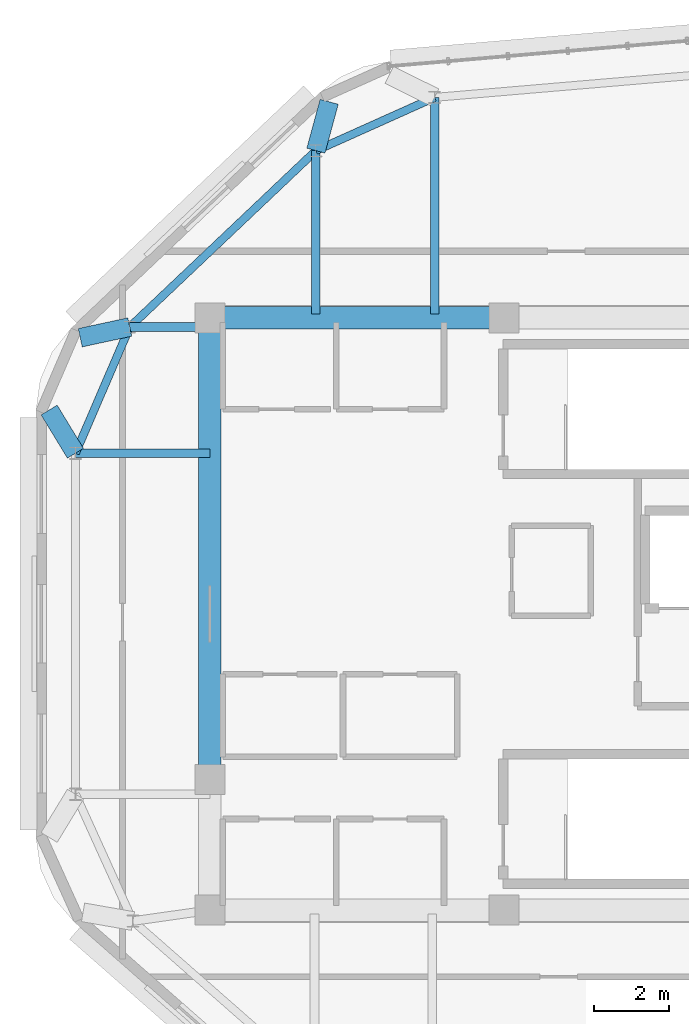
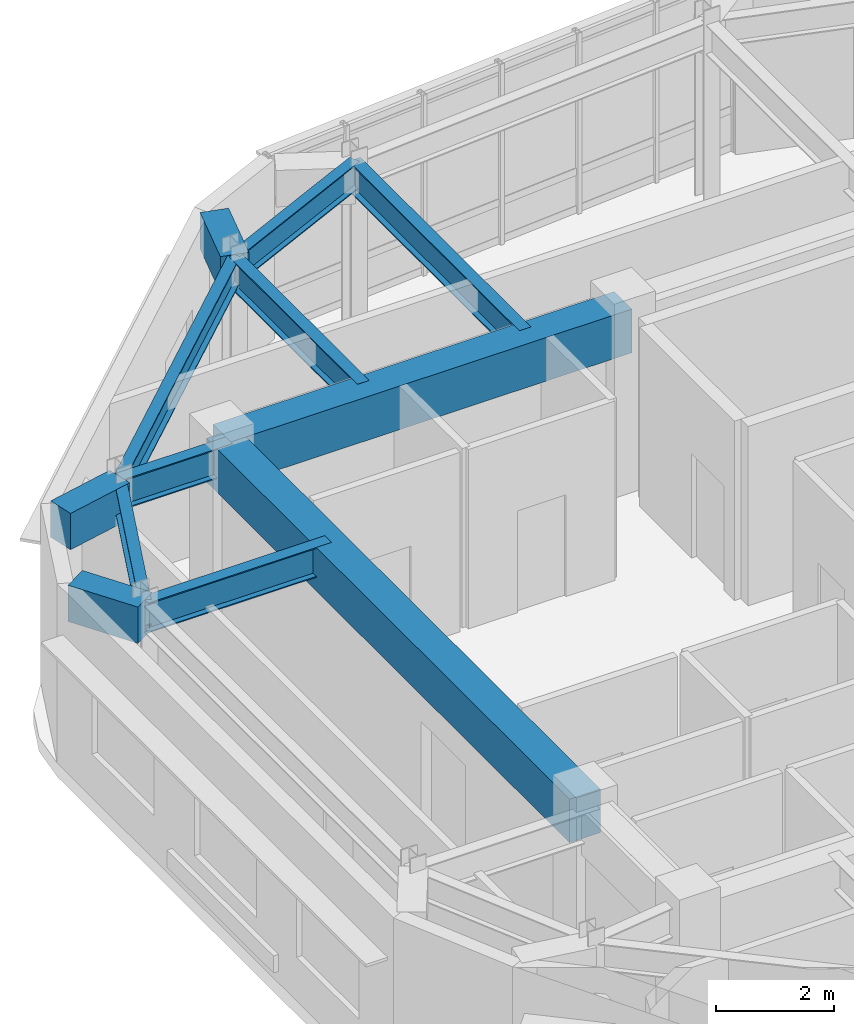
# One storey, part 6 of 13: 12 beams.
"""IFC4 building model written with IfcOpenShell, lengths in metres."""

import ifcopenshell
import ifcopenshell.guid

model = None  # the IFC model being written
_history = None  # IfcOwnerHistory: only IFC2X3 demands one
_inside = {}  # id of a spatial element -> (the spatial element, [elements in it])
_under = {}  # id of a project, library or spatial element -> (it, [spatial elements below it])
_declared = {}  # id of a project -> (the project, [libraries it declares])
_typed = {}  # id of a type object -> (the type object, [elements of that type])
_made_of = {}  # id of a material, layer set ... -> (it, [elements and type objects made of it])


def new_model(schema):
    """Start an empty IFC model of exactly this schema.

    Asked for "IFC4X3", IfcOpenShell would pick the latest addendum, in which some entities
    have other attributes; the version numbers below select the first issue.
    IFC2X3 requires an IfcOwnerHistory on every rooted entity: one is made here for all.
    """
    global model, _history
    if schema == "IFC4X3":
        model = ifcopenshell.file(schema_version=(4, 3, 0, 0))
    else:
        model = ifcopenshell.file(schema=schema)
    _inside.clear()
    _under.clear()
    _declared.clear()
    _typed.clear()
    _made_of.clear()
    _history = None
    if model.schema == "IFC2X3":
        org = make("IfcOrganization", Name="unknown")
        user = make(
            "IfcPersonAndOrganization",
            ThePerson=make("IfcPerson", FamilyName="unknown"),
            TheOrganization=org,
        )
        app = make(
            "IfcApplication",
            ApplicationDeveloper=org,
            Version="unknown",
            ApplicationFullName="unknown",
            ApplicationIdentifier="unknown",
        )
        _history = make(
            "IfcOwnerHistory",
            OwningUser=user,
            OwningApplication=app,
            ChangeAction="ADDED",
            CreationDate=0,
        )
    return model


def make(cls, **values):
    """One entity of the class cls with the attributes given. An attribute that is None is left unset."""
    return model.create_entity(
        cls, **{name: value for name, value in values.items() if value is not None}
    )


def rooted(cls, **values):
    """An entity with a GlobalId (a new one), such as an element, a storey or a relation."""
    return make(cls, GlobalId=ifcopenshell.guid.new(), OwnerHistory=_history, **values)


def si_unit(unit_type, name, prefix=None):
    """IfcSIUnit, for example si_unit("LENGTHUNIT", "METRE", prefix="MILLI")."""
    return make("IfcSIUnit", UnitType=unit_type, Prefix=prefix, Name=name)


def assignment(units):
    """IfcUnitAssignment: the units of a project."""
    return None if units is None else make("IfcUnitAssignment", Units=units)


def point(xyz):
    """IfcCartesianPoint."""
    return None if xyz is None else make("IfcCartesianPoint", Coordinates=xyz)


def direction(xyz):
    """IfcDirection."""
    return None if xyz is None else make("IfcDirection", DirectionRatios=xyz)


def frame(location, z_axis=None, x_axis=None):
    """IfcAxis2Placement3D, a coordinate frame: its origin and axes. An axis left out is left unset."""
    return make(
        "IfcAxis2Placement3D",
        Location=point(location),
        Axis=direction(z_axis),
        RefDirection=direction(x_axis),
    )


def frame_2d(location, x_axis=None):
    """IfcAxis2Placement2D, a coordinate frame in the plane: its origin and x axis."""
    return make(
        "IfcAxis2Placement2D", Location=point(location), RefDirection=direction(x_axis)
    )


def origin():
    """The frame at (0, 0, 0) with its axes left unset."""
    return frame((0.0, 0.0, 0.0))


def origin_2d():
    """The frame at (0, 0) in the plane with its x axis left unset."""
    return frame_2d((0.0, 0.0))


def place(relative_to, where):
    """IfcLocalPlacement: puts the frame where relative to a parent placement (None: the world)."""
    return make(
        "IfcLocalPlacement", PlacementRelTo=relative_to, RelativePlacement=where
    )


def context(
    kind, dimensions, precision=None, world=None, true_north=None, identifier=None
):
    """IfcGeometricRepresentationContext, for example the 3D "Model" context."""
    return make(
        "IfcGeometricRepresentationContext",
        ContextIdentifier=identifier,
        ContextType=kind,
        CoordinateSpaceDimension=dimensions,
        Precision=precision,
        WorldCoordinateSystem=world,
        TrueNorth=true_north,
    )


def subcontext(parent, identifier, kind, view, scale=None):
    """IfcGeometricRepresentationSubContext, for example "Body" below "Model"."""
    return make(
        "IfcGeometricRepresentationSubContext",
        ContextIdentifier=identifier,
        ContextType=kind,
        ParentContext=parent,
        TargetScale=scale,
        TargetView=view,
    )


def project(units=None, contexts=None):
    """IfcProject with its units and contexts."""
    return rooted(
        "IfcProject",
        Name="project",
        RepresentationContexts=contexts,
        UnitsInContext=assignment(units),
    )


def spatial(cls, under=None, at=None, **own):
    """A site, building, storey or space (cls), placed at a placement, below another one or the project."""
    s = rooted(cls, ObjectPlacement=at, **own)
    if under is not None:
        _under.setdefault(under.id(), (under, []))[1].append(s)
    return s


def profile(cls, at=None, kind="AREA", **sizes):
    """A parametric profile (cls). Its sizes go by their IFC names, for example OverallWidth=200.0."""
    return make(cls, ProfileType=kind, Position=at, **sizes)


def rectangle(**sizes):
    """IfcRectangleProfileDef."""
    return profile("IfcRectangleProfileDef", **sizes)


def i_section(**sizes):
    """IfcIShapeProfileDef."""
    return profile("IfcIShapeProfileDef", **sizes)


def extrude(swept, where, along, depth):
    """IfcExtrudedAreaSolid: the profile swept, set in the frame where, extruded along a direction by depth."""
    return make(
        "IfcExtrudedAreaSolid",
        SweptArea=swept,
        Position=where,
        ExtrudedDirection=direction(along),
        Depth=depth,
    )


def shape(context_of_items, identifier, shape_type, items):
    """IfcShapeRepresentation: the items that make up one representation, for example the "Body"."""
    return make(
        "IfcShapeRepresentation",
        ContextOfItems=context_of_items,
        RepresentationIdentifier=identifier,
        RepresentationType=shape_type,
        Items=items,
    )


def material(Name=None, Category=None):
    """IfcMaterial."""
    return make("IfcMaterial", Name=Name, Category=Category)


def material_profile(
    of_material, cross_section, Name=None, Category=None, Priority=None
):
    """IfcMaterialProfile: a cross section and its material."""
    return make(
        "IfcMaterialProfile",
        Name=Name,
        Material=of_material,
        Profile=cross_section,
        Priority=Priority,
        Category=Category,
    )


def profile_set(profiles, Name=None, composite=None):
    """IfcMaterialProfileSet."""
    return make(
        "IfcMaterialProfileSet",
        Name=Name,
        MaterialProfiles=profiles,
        CompositeProfile=composite,
    )


def made_of(thing, what):
    """Note that an element or type object is made of a material, layer set ...; save() writes the relation."""
    if what is not None:
        _made_of.setdefault(what.id(), (what, []))[1].append(thing)
    return thing


def type_object(cls, material=None, **own):
    """A type object (cls), such as IfcWallType, which elements share."""
    return made_of(rooted(cls, **own), material)


def element(
    cls,
    number,
    at=None,
    inside=None,
    cuts=None,
    type_object=None,
    material=None,
    context=None,
    identifier="Body",
    shape_type=None,
    held_by="IfcProductDefinitionShape",
    body=None,
    shapes=None,
    **own,
):
    """One element of the class cls, such as IfcWall. Its Tag is "e" and its number.

    at: its placement. inside: the storey or other place that contains it. cuts: it is an
    opening in that element (IfcRelVoidsElement). A single representation is given by context,
    identifier, shape_type and body (its items); several are given by shapes. held_by: the class
    of the entity that holds the representations. save() writes the other relations.
    """
    e = rooted(cls, Tag="e%d" % number, ObjectPlacement=at, **own)
    if body is not None:
        shapes = [shape(context, identifier, shape_type, body)]
    if shapes is not None:
        e.Representation = make(held_by, Representations=shapes)
    if inside is not None:
        _inside.setdefault(inside.id(), (inside, []))[1].append(e)
    if cuts is not None:
        rooted(
            "IfcRelVoidsElement", RelatingBuildingElement=cuts, RelatedOpeningElement=e
        )
    if type_object is not None:
        _typed.setdefault(type_object.id(), (type_object, []))[1].append(e)
    return made_of(e, material)


def aggregate(whole, parts):
    """IfcRelAggregates: a whole, such as a stair, and the parts it consists of."""
    return rooted("IfcRelAggregates", RelatingObject=whole, RelatedObjects=parts)


def save(model, path):
    """Write the relations noted so far, then the file.

    IfcRelAggregates (storeys below a building ...), IfcRelContainedInSpatialStructure (elements
    in a storey), IfcRelDefinesByType, IfcRelAssociatesMaterial and IfcRelDeclares: one each for
    every whole, place, type object, material and project.
    """
    for whole, parts in _under.values():
        aggregate(whole, parts)
    for where, things in _inside.values():
        rooted(
            "IfcRelContainedInSpatialStructure",
            RelatedElements=things,
            RelatingStructure=where,
        )
    for kind, things in _typed.values():
        rooted("IfcRelDefinesByType", RelatedObjects=things, RelatingType=kind)
    for what, things in _made_of.values():
        rooted("IfcRelAssociatesMaterial", RelatedObjects=things, RelatingMaterial=what)
    for by, libraries in _declared.values():
        rooted("IfcRelDeclares", RelatingContext=by, RelatedDefinitions=libraries)
    model.write(path)


model = new_model("IFC4")

# Units and contexts
model_context = context("Model", 3, precision=1e-05, world=origin(), true_north=direction((0.0, 1.0)))
body_context = subcontext(model_context, "Body", "Model", "MODEL_VIEW")
ifc_project = project(units=[si_unit("LENGTHUNIT", "METRE"), si_unit("AREAUNIT", "SQUARE_METRE"), si_unit("VOLUMEUNIT", "CUBIC_METRE"), si_unit("PLANEANGLEUNIT", "RADIAN"), si_unit("MASSUNIT", "GRAM", prefix="KILO")], contexts=[model_context])

# Site, building, storey
site_placement = place(None, origin())
site = spatial("IfcSite", under=ifc_project, at=site_placement, CompositionType="ELEMENT")
building_placement = place(site_placement, origin())
building = spatial("IfcBuilding", under=site, at=building_placement, Name="Zulverin Broadcast Headquarters", CompositionType="ELEMENT")
storey_placement = place(building_placement, frame((0.0, 0.0, 333.39990234375)))
storey = spatial("IfcBuildingStorey", under=building, at=storey_placement, Name="C6", CompositionType="ELEMENT", Elevation=333.39990234375)

# Beams
ifc_material_1 = material(Name="Concrete C60/75", Category="concrete")
ifc_material_profile_1 = material_profile(ifc_material_1, rectangle(XDim=0.60009765625, YDim=0.89990234375, at=origin_2d()), Name="Concrete C60/75", Category="concrete")
ifc_profile_set_1 = profile_set([ifc_material_profile_1], Name="Concrete C60/75")
beam_type_1 = type_object("IfcBeamType", Name="BM-CB-600x900", PredefinedType="LINTEL", material=ifc_profile_set_1)
beam_1_placement = place(storey_placement, frame((38.449951171875, 33.074951171875, 3.25), z_axis=(-1.0, 0.0, 0.0), x_axis=(0.0, -1.0, 0.0)))
element("IfcBeam", 1, at=beam_1_placement, inside=storey, type_object=beam_type_1, Name="C6 Core Coupling Girder K06-K07", PredefinedType="LINTEL", context=body_context, shape_type="SweptSolid", body=[
    extrude(rectangle(XDim=0.60009765625, YDim=0.89990234375, at=origin_2d()), origin(), (0.0, 0.0, 1.0), 7.824951171875),
])
beam_2_placement = place(storey_placement, frame((30.625, 33.074951171875, 3.25), z_axis=(0.0, -1.0, 0.0), x_axis=(1.0, 0.0, 0.0)))
element("IfcBeam", 2, at=beam_2_placement, inside=storey, type_object=beam_type_1, Name="C6 Core Coupling Girder K07-K08", PredefinedType="LINTEL", context=body_context, shape_type="SweptSolid", body=[
    extrude(rectangle(XDim=0.60009765625, YDim=0.89990234375, at=origin_2d()), origin(), (0.0, 0.0, 1.0), 12.27490234375),
])
ifc_material_2 = material(Name="Concrete C40/50", Category="concrete")
ifc_material_profile_2 = material_profile(ifc_material_2, rectangle(XDim=0.5, YDim=0.75, at=origin_2d()), Name="Concrete C40/50", Category="concrete")
ifc_profile_set_2 = profile_set([ifc_material_profile_2], Name="Concrete C40/50")
beam_type_2 = type_object("IfcBeamType", Name="BM-RC-500x750", PredefinedType="BEAM", material=ifc_profile_set_2)
for number, where, z_axis, x_axis, name in (
    (3, (33.4453125, 37.5244140625, 3.3251953125), (0.262242597635, 0.965001979265, 0.0), (-0.965001979265, 0.262242597635, 0.0), "RF Plate Overhang Back-Spanned Beam OVR-11"),
    (4, (28.493408203125, 32.832275390625, 3.3251953125), (-0.977661536396, -0.210185442531, 0.0), (0.210185442531, -0.977661536396, 0.0), "RF Plate Overhang Back-Spanned Beam OVR-12"),
    (5, (27.050048828125, 29.475830078125, 3.3251953125), (-0.519952700303, 0.854195053514, 0.0), (-0.854195053514, -0.519952700303, 0.0), "RF Plate Overhang Back-Spanned Beam OVR-13"),
):
    element("IfcBeam", number, at=place(storey_placement, frame(where, z_axis=z_axis, x_axis=x_axis)), inside=storey, type_object=beam_type_2, Name=name, PredefinedType="BEAM", context=body_context, shape_type="SweptSolid", body=[
        extrude(rectangle(XDim=0.5, YDim=0.75, at=origin_2d()), origin(), (0.0, 0.0, 1.0), 1.34619140625),
    ])
ifc_material_3 = material(Name="Structural steel S355JR", Category="steel")
ifc_material_profile_3 = material_profile(ifc_material_3, i_section(OverallWidth=0.2119140625, OverallDepth=0.54443359375, WebThickness=0.0126953125, FlangeThickness=0.021240234375, at=origin_2d()), Name="Structural steel S355JR", Category="steel")
ifc_profile_set_3 = profile_set([ifc_material_profile_3], Name="Structural steel S355JR")
beam_type_3 = type_object("IfcBeamType", Name="BM-UB-533", PredefinedType="SPANDREL", material=ifc_profile_set_3)
beam_3_placement = place(storey_placement, frame((36.6015625, 38.940673828125, 3.427978515625), z_axis=(-0.912359384354, -0.409390221893, 0.0), x_axis=(0.409390221893, -0.912359384354, 0.0)))
element("IfcBeam", 6, at=beam_3_placement, inside=storey, type_object=beam_type_3, Name="C6 Perimeter Spandrel Beam SP-10", PredefinedType="SPANDREL", context=body_context, shape_type="SweptSolid", body=[
    extrude(i_section(OverallWidth=0.2119140625, OverallDepth=0.54443359375, WebThickness=0.0126953125, FlangeThickness=0.021240234375, at=origin_2d()), origin(), (0.0, 0.0, 1.0), 3.45947265625),
])
beam_4_placement = place(storey_placement, frame((33.4453125, 37.5244140625, 3.427978515625), z_axis=(-0.725889672936, -0.687811153388, 0.0), x_axis=(0.687811153388, -0.725889672936, 0.0)))
element("IfcBeam", 7, at=beam_4_placement, inside=storey, type_object=beam_type_3, Name="C6 Perimeter Spandrel Beam SP-11", PredefinedType="SPANDREL", context=body_context, shape_type="SweptSolid", body=[
    extrude(i_section(OverallWidth=0.2119140625, OverallDepth=0.54443359375, WebThickness=0.0126953125, FlangeThickness=0.021240234375, at=origin_2d()), origin(), (0.0, 0.0, 1.0), 6.82177734375),
])
beam_5_placement = place(storey_placement, frame((28.493408203125, 32.832275390625, 3.427978515625), z_axis=(-0.395048052445, -0.918660457546, 0.0), x_axis=(0.918660457546, -0.395048052445, 0.0)))
element("IfcBeam", 8, at=beam_5_placement, inside=storey, type_object=beam_type_3, Name="C6 Perimeter Spandrel Beam SP-12", PredefinedType="SPANDREL", context=body_context, shape_type="SweptSolid", body=[
    extrude(i_section(OverallWidth=0.2119140625, OverallDepth=0.54443359375, WebThickness=0.0126953125, FlangeThickness=0.021240234375, at=origin_2d()), origin(), (0.0, 0.0, 1.0), 3.653564453125),
])
ifc_material_profile_4 = material_profile(ifc_material_3, i_section(OverallWidth=0.230224609375, OverallDepth=0.6171875, WebThickness=0.01318359375, FlangeThickness=0.022216796875, at=origin_2d()), Name="Structural steel S355JR", Category="steel")
ifc_profile_set_4 = profile_set([ifc_material_profile_4], Name="Structural steel S355JR")
beam_type_4 = type_object("IfcBeamType", Name="BM-UB-610", PredefinedType="BEAM", material=ifc_profile_set_4)
beam_6_placement = place(storey_placement, frame((36.6015625, 33.175048828125, 3.3916015625), z_axis=(0.0, 1.0, 0.0), x_axis=(-1.0, 0.0, 0.0)))
element("IfcBeam", 9, at=beam_6_placement, inside=storey, type_object=beam_type_4, Name="C6 Radial Primary Floor Beam RB-10", PredefinedType="BEAM", context=body_context, shape_type="SweptSolid", body=[
    extrude(i_section(OverallWidth=0.230224609375, OverallDepth=0.6171875, WebThickness=0.01318359375, FlangeThickness=0.022216796875, at=origin_2d()), origin(), (0.0, 0.0, 1.0), 5.765625),
])
beam_7_placement = place(storey_placement, frame((33.4453125, 33.175048828125, 3.3916015625), z_axis=(0.0, 1.0, 0.0), x_axis=(-1.0, 0.0, 0.0)))
element("IfcBeam", 10, at=beam_7_placement, inside=storey, type_object=beam_type_4, Name="C6 Radial Primary Floor Beam RB-11", PredefinedType="BEAM", context=body_context, shape_type="SweptSolid", body=[
    extrude(i_section(OverallWidth=0.230224609375, OverallDepth=0.6171875, WebThickness=0.01318359375, FlangeThickness=0.022216796875, at=origin_2d()), origin(), (0.0, 0.0, 1.0), 4.349365234375),
])
beam_8_placement = place(storey_placement, frame((30.625, 32.832275390625, 3.3916015625), z_axis=(-1.0, 0.0, 0.0), x_axis=(0.0, -1.0, 0.0)))
element("IfcBeam", 11, at=beam_8_placement, inside=storey, type_object=beam_type_4, Name="C6 Radial Primary Floor Beam RB-12", PredefinedType="BEAM", context=body_context, shape_type="SweptSolid", body=[
    extrude(i_section(OverallWidth=0.230224609375, OverallDepth=0.6171875, WebThickness=0.01318359375, FlangeThickness=0.022216796875, at=origin_2d()), origin(), (0.0, 0.0, 1.0), 2.131591796875),
])
beam_9_placement = place(storey_placement, frame((30.625, 29.475830078125, 3.3916015625), z_axis=(-1.0, 0.0, 0.0), x_axis=(0.0, -1.0, 0.0)))
element("IfcBeam", 12, at=beam_9_placement, inside=storey, type_object=beam_type_4, Name="C6 Radial Primary Floor Beam RB-13", PredefinedType="BEAM", context=body_context, shape_type="SweptSolid", body=[
    extrude(i_section(OverallWidth=0.230224609375, OverallDepth=0.6171875, WebThickness=0.01318359375, FlangeThickness=0.022216796875, at=origin_2d()), origin(), (0.0, 0.0, 1.0), 3.574951171875),
])

save(model, "model.ifc")
